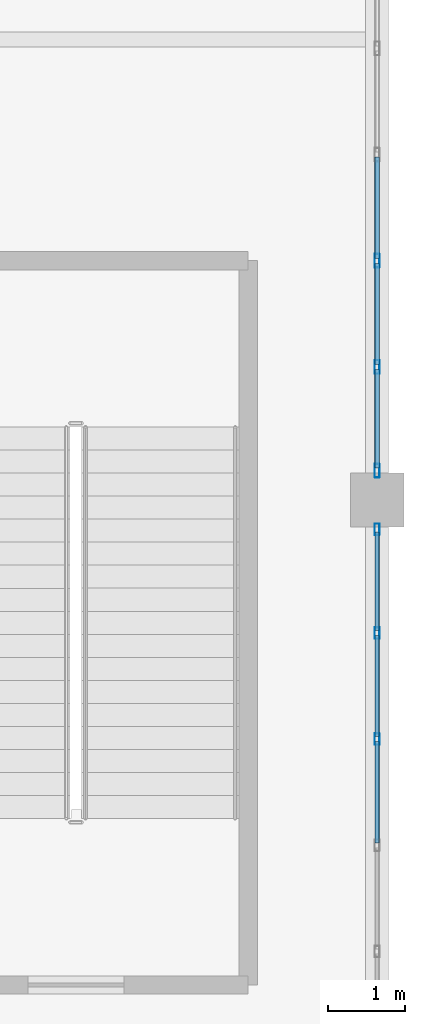
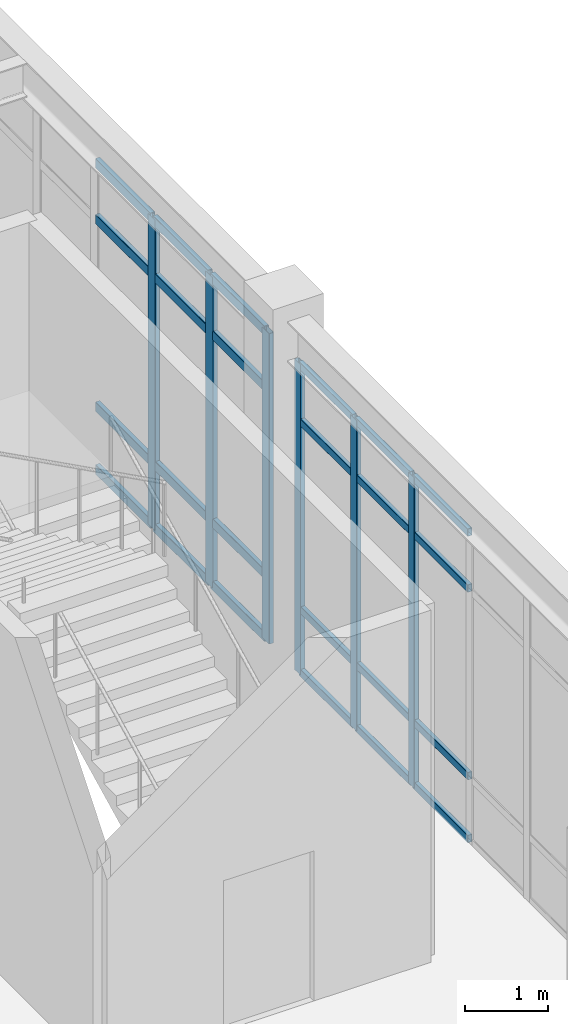
# One storey, part 28 of 80: 30 members, 2 elements without a shape of their own.
"""IFC4 building model written with IfcOpenShell, lengths in metres."""

from ifc_helpers import new_model, si_unit, direction, frame, origin, origin_2d, place, context, subcontext, project, spatial, hollow_rectangle, extrude, material, material_profile, profile_set, type_object, element, aggregate, save


model = new_model("IFC4")

# Units and contexts
model_context = context("Model", 3, precision=1e-05, world=origin(), true_north=direction((0.0, 1.0)))
body_context = subcontext(model_context, "Body", "Model", "MODEL_VIEW")
ifc_project = project(units=[si_unit("LENGTHUNIT", "METRE"), si_unit("AREAUNIT", "SQUARE_METRE"), si_unit("VOLUMEUNIT", "CUBIC_METRE"), si_unit("PLANEANGLEUNIT", "RADIAN"), si_unit("MASSUNIT", "GRAM", prefix="KILO")], contexts=[model_context])

# Site, building, storey
site_placement = place(None, origin())
site = spatial("IfcSite", under=ifc_project, at=site_placement, CompositionType="ELEMENT")
building_placement = place(site_placement, origin())
building = spatial("IfcBuilding", under=site, at=building_placement, Name="Canglan Escarpment Cableway Terminal", CompositionType="ELEMENT")
storey_placement = place(building_placement, frame((0.0, 0.0, 19.199951171875)))
storey = spatial("IfcBuildingStorey", under=building, at=storey_placement, Name="L04", CompositionType="ELEMENT", Elevation=19.199951171875)

# Curtain wall, members
ifc_material_1 = material(Name="Anodized bronze aluminium and Low-E double glazing", Category="aluminium")
curtain_wall_type = type_object("IfcCurtainWallType", Name="CW-BAY-8300x4550", PredefinedType="NOTDEFINED", material=ifc_material_1)
curtain_wall_1_placement = place(storey_placement, origin())
curtain_wall_1 = element("IfcCurtainWall", 1, at=curtain_wall_1_placement, inside=storey, type_object=curtain_wall_type, Name="Classical bay-between-piers glazed curtain wall CW-64", PredefinedType="NOTDEFINED")
ifc_material_2 = material(Name="Thermally broken anodized aluminium 6063-T6", Category="aluminium")
ifc_material_profile_1 = material_profile(ifc_material_2, hollow_rectangle(XDim=0.06494140625, YDim=0.14990234375, WallThickness=0.00341796875, InnerFilletRadius=0.00341796875, OuterFilletRadius=0.007080078125, at=origin_2d()), Name="ALU-MULL 65x150x3.5")
ifc_profile_set_1 = profile_set([ifc_material_profile_1], Name="Thermally broken anodized aluminium 6063-T6")
member_type_1 = type_object("IfcMemberType", Name="CWM-02", PredefinedType="MULLION", material=ifc_profile_set_1)
member_1_placement = place(storey_placement, frame((166.39990234375, 39.88330078125, 0.0), z_axis=(0.0, 0.0, 1.0), x_axis=(-1.0, 0.0, 0.0)))
member_1 = element("IfcMember", 2, at=member_1_placement, type_object=member_type_1, Name="CW-64 mullion 5", PredefinedType="MULLION", context=body_context, shape_type="SweptSolid", body=[
    extrude(hollow_rectangle(XDim=0.06494140625, YDim=0.14990234375, WallThickness=0.00341796875, InnerFilletRadius=0.00341796875, OuterFilletRadius=0.007080078125, at=origin_2d()), origin(), (0.0, 0.0, 1.0), 4.551025390625),
])
member_2_placement = place(storey_placement, frame((166.39990234375, 41.2666015625, 0.0), z_axis=(0.0, 0.0, 1.0), x_axis=(-1.0, 0.0, 0.0)))
member_2 = element("IfcMember", 3, at=member_2_placement, type_object=member_type_1, Name="CW-64 mullion 6", PredefinedType="MULLION", context=body_context, shape_type="SweptSolid", body=[
    extrude(hollow_rectangle(XDim=0.06494140625, YDim=0.14990234375, WallThickness=0.00341796875, InnerFilletRadius=0.00341796875, OuterFilletRadius=0.007080078125, at=origin_2d()), origin(), (0.0, 0.0, 1.0), 4.551025390625),
])
member_3_placement = place(storey_placement, frame((166.39990234375, 42.617431640625, 0.0), z_axis=(0.0, 0.0, 1.0), x_axis=(-1.0, 0.0, 0.0)))
member_3 = element("IfcMember", 4, at=member_3_placement, type_object=member_type_1, Name="CW-64 mullion 7", PredefinedType="MULLION", context=body_context, shape_type="SweptSolid", body=[
    extrude(hollow_rectangle(XDim=0.06494140625, YDim=0.14990234375, WallThickness=0.00341796875, InnerFilletRadius=0.00341796875, OuterFilletRadius=0.007080078125, at=origin_2d()), origin(), (0.0, 0.0, 1.0), 4.551025390625),
])

curtain_wall_2_placement = place(storey_placement, origin())
curtain_wall_2 = element("IfcCurtainWall", 5, at=curtain_wall_2_placement, inside=storey, type_object=curtain_wall_type, Name="Classical bay-between-piers glazed curtain wall CW-64", PredefinedType="NOTDEFINED")
ifc_material_profile_2 = material_profile(ifc_material_2, hollow_rectangle(XDim=0.06494140625, YDim=0.179931640625, WallThickness=0.00390625, InnerFilletRadius=0.00390625, OuterFilletRadius=0.008056640625, at=origin_2d()), Name="ALU-MULL 65x180x4")
ifc_profile_set_2 = profile_set([ifc_material_profile_2], Name="Thermally broken anodized aluminium 6063-T6")
member_type_2 = type_object("IfcMemberType", Name="CWM-03", PredefinedType="MULLION", material=ifc_profile_set_2)
member_4_placement = place(storey_placement, frame((166.39990234375, 43.382568359375, 0.0), z_axis=(0.0, 0.0, 1.0), x_axis=(-1.0, 0.0, 0.0)))
member_4 = element("IfcMember", 6, at=member_4_placement, type_object=member_type_2, Name="CW-64 mullion 1", PredefinedType="MULLION", context=body_context, shape_type="SweptSolid", body=[
    extrude(hollow_rectangle(XDim=0.06494140625, YDim=0.179931640625, WallThickness=0.00390625, InnerFilletRadius=0.00390625, OuterFilletRadius=0.008056640625, at=origin_2d()), origin(), (0.0, 0.0, 1.0), 4.551025390625),
])
member_5_placement = place(storey_placement, frame((166.39990234375, 44.7333984375, 0.0), z_axis=(0.0, 0.0, 1.0), x_axis=(-1.0, 0.0, 0.0)))
member_5 = element("IfcMember", 7, at=member_5_placement, type_object=member_type_2, Name="CW-64 mullion 2", PredefinedType="MULLION", context=body_context, shape_type="SweptSolid", body=[
    extrude(hollow_rectangle(XDim=0.06494140625, YDim=0.179931640625, WallThickness=0.00390625, InnerFilletRadius=0.00390625, OuterFilletRadius=0.008056640625, at=origin_2d()), origin(), (0.0, 0.0, 1.0), 4.551025390625),
])
member_6_placement = place(storey_placement, frame((166.39990234375, 46.11669921875, 0.0), z_axis=(0.0, 0.0, 1.0), x_axis=(-1.0, 0.0, 0.0)))
member_6 = element("IfcMember", 8, at=member_6_placement, type_object=member_type_2, Name="CW-64 mullion 3", PredefinedType="MULLION", context=body_context, shape_type="SweptSolid", body=[
    extrude(hollow_rectangle(XDim=0.06494140625, YDim=0.179931640625, WallThickness=0.00390625, InnerFilletRadius=0.00390625, OuterFilletRadius=0.008056640625, at=origin_2d()), origin(), (0.0, 0.0, 1.0), 4.551025390625),
])

# Member
ifc_material_profile_3 = material_profile(ifc_material_2, hollow_rectangle(XDim=0.06005859375, YDim=0.110107421875, WallThickness=0.0029296875, InnerFilletRadius=0.0029296875, OuterFilletRadius=0.006103515625, at=origin_2d()), Name="ALU-TRAN 60x110x3")
ifc_profile_set_3 = profile_set([ifc_material_profile_3], Name="Thermally broken anodized aluminium 6063-T6")
member_type_3 = type_object("IfcMemberType", Name="CWT-02", PredefinedType="USERDEFINED", material=ifc_profile_set_3)
member_7_placement = place(storey_placement, frame((166.39990234375, 38.532470703125, 0.030029296875), z_axis=(0.0, 1.0, 0.0), x_axis=(-1.0, 0.0, 0.0)))
member_7 = element("IfcMember", 9, at=member_7_placement, type_object=member_type_3, Name="CW-64 transom 4.1", ObjectType="TRANSOM", PredefinedType="USERDEFINED", context=body_context, shape_type="SweptSolid", body=[
    extrude(hollow_rectangle(XDim=0.06005859375, YDim=0.110107421875, WallThickness=0.0029296875, InnerFilletRadius=0.0029296875, OuterFilletRadius=0.006103515625, at=origin_2d()), origin(), (0.0, 0.0, 1.0), 1.318359375),
])

member_8_placement = place(storey_placement, frame((166.39990234375, 38.532470703125, 0.949951171875), z_axis=(0.0, 1.0, 0.0), x_axis=(-1.0, 0.0, 0.0)))
member_8 = element("IfcMember", 10, at=member_8_placement, type_object=member_type_3, Name="CW-64 transom 4.2", ObjectType="TRANSOM", PredefinedType="USERDEFINED", context=body_context, shape_type="SweptSolid", body=[
    extrude(hollow_rectangle(XDim=0.06005859375, YDim=0.110107421875, WallThickness=0.0029296875, InnerFilletRadius=0.0029296875, OuterFilletRadius=0.006103515625, at=origin_2d()), origin(), (0.0, 0.0, 1.0), 1.318359375),
])

member_9_placement = place(storey_placement, frame((166.39990234375, 38.532470703125, 3.700927734375), z_axis=(0.0, 1.0, 0.0), x_axis=(-1.0, 0.0, 0.0)))
member_9 = element("IfcMember", 11, at=member_9_placement, type_object=member_type_3, Name="CW-64 transom 4.3", ObjectType="TRANSOM", PredefinedType="USERDEFINED", context=body_context, shape_type="SweptSolid", body=[
    extrude(hollow_rectangle(XDim=0.06005859375, YDim=0.110107421875, WallThickness=0.0029296875, InnerFilletRadius=0.0029296875, OuterFilletRadius=0.006103515625, at=origin_2d()), origin(), (0.0, 0.0, 1.0), 1.318359375),
])

member_10_placement = place(storey_placement, frame((166.39990234375, 38.532470703125, 4.52099609375), z_axis=(0.0, 1.0, 0.0), x_axis=(-1.0, 0.0, 0.0)))
member_10 = element("IfcMember", 12, at=member_10_placement, type_object=member_type_3, Name="CW-64 transom 4.4", ObjectType="TRANSOM", PredefinedType="USERDEFINED", context=body_context, shape_type="SweptSolid", body=[
    extrude(hollow_rectangle(XDim=0.06005859375, YDim=0.110107421875, WallThickness=0.0029296875, InnerFilletRadius=0.0029296875, OuterFilletRadius=0.006103515625, at=origin_2d()), origin(), (0.0, 0.0, 1.0), 1.318359375),
])

member_11_placement = place(storey_placement, frame((166.39990234375, 39.915771484375, 0.030029296875), z_axis=(0.0, 1.0, 0.0), x_axis=(-1.0, 0.0, 0.0)))
member_11 = element("IfcMember", 13, at=member_11_placement, type_object=member_type_3, Name="CW-64 transom 5.1", ObjectType="TRANSOM", PredefinedType="USERDEFINED", context=body_context, shape_type="SweptSolid", body=[
    extrude(hollow_rectangle(XDim=0.06005859375, YDim=0.110107421875, WallThickness=0.0029296875, InnerFilletRadius=0.0029296875, OuterFilletRadius=0.006103515625, at=origin_2d()), origin(), (0.0, 0.0, 1.0), 1.318359375),
])

member_12_placement = place(storey_placement, frame((166.39990234375, 39.915771484375, 0.949951171875), z_axis=(0.0, 1.0, 0.0), x_axis=(-1.0, 0.0, 0.0)))
member_12 = element("IfcMember", 14, at=member_12_placement, type_object=member_type_3, Name="CW-64 transom 5.2", ObjectType="TRANSOM", PredefinedType="USERDEFINED", context=body_context, shape_type="SweptSolid", body=[
    extrude(hollow_rectangle(XDim=0.06005859375, YDim=0.110107421875, WallThickness=0.0029296875, InnerFilletRadius=0.0029296875, OuterFilletRadius=0.006103515625, at=origin_2d()), origin(), (0.0, 0.0, 1.0), 1.318359375),
])

member_13_placement = place(storey_placement, frame((166.39990234375, 39.915771484375, 3.700927734375), z_axis=(0.0, 1.0, 0.0), x_axis=(-1.0, 0.0, 0.0)))
member_13 = element("IfcMember", 15, at=member_13_placement, type_object=member_type_3, Name="CW-64 transom 5.3", ObjectType="TRANSOM", PredefinedType="USERDEFINED", context=body_context, shape_type="SweptSolid", body=[
    extrude(hollow_rectangle(XDim=0.06005859375, YDim=0.110107421875, WallThickness=0.0029296875, InnerFilletRadius=0.0029296875, OuterFilletRadius=0.006103515625, at=origin_2d()), origin(), (0.0, 0.0, 1.0), 1.318359375),
])

member_14_placement = place(storey_placement, frame((166.39990234375, 39.915771484375, 4.52099609375), z_axis=(0.0, 1.0, 0.0), x_axis=(-1.0, 0.0, 0.0)))
member_14 = element("IfcMember", 16, at=member_14_placement, type_object=member_type_3, Name="CW-64 transom 5.4", ObjectType="TRANSOM", PredefinedType="USERDEFINED", context=body_context, shape_type="SweptSolid", body=[
    extrude(hollow_rectangle(XDim=0.06005859375, YDim=0.110107421875, WallThickness=0.0029296875, InnerFilletRadius=0.0029296875, OuterFilletRadius=0.006103515625, at=origin_2d()), origin(), (0.0, 0.0, 1.0), 1.318359375),
])

member_15_placement = place(storey_placement, frame((166.39990234375, 41.299072265625, 0.030029296875), z_axis=(0.0, 1.0, 0.0), x_axis=(-1.0, 0.0, 0.0)))
member_15 = element("IfcMember", 17, at=member_15_placement, type_object=member_type_3, Name="CW-64 transom 6.1", ObjectType="TRANSOM", PredefinedType="USERDEFINED", context=body_context, shape_type="SweptSolid", body=[
    extrude(hollow_rectangle(XDim=0.06005859375, YDim=0.110107421875, WallThickness=0.0029296875, InnerFilletRadius=0.0029296875, OuterFilletRadius=0.006103515625, at=origin_2d()), origin(), (0.0, 0.0, 1.0), 1.285888671875),
])

member_16_placement = place(storey_placement, frame((166.39990234375, 41.299072265625, 0.949951171875), z_axis=(0.0, 1.0, 0.0), x_axis=(-1.0, 0.0, 0.0)))
member_16 = element("IfcMember", 18, at=member_16_placement, type_object=member_type_3, Name="CW-64 transom 6.2", ObjectType="TRANSOM", PredefinedType="USERDEFINED", context=body_context, shape_type="SweptSolid", body=[
    extrude(hollow_rectangle(XDim=0.06005859375, YDim=0.110107421875, WallThickness=0.0029296875, InnerFilletRadius=0.0029296875, OuterFilletRadius=0.006103515625, at=origin_2d()), origin(), (0.0, 0.0, 1.0), 1.285888671875),
])

member_17_placement = place(storey_placement, frame((166.39990234375, 41.299072265625, 3.700927734375), z_axis=(0.0, 1.0, 0.0), x_axis=(-1.0, 0.0, 0.0)))
member_17 = element("IfcMember", 19, at=member_17_placement, type_object=member_type_3, Name="CW-64 transom 6.3", ObjectType="TRANSOM", PredefinedType="USERDEFINED", context=body_context, shape_type="SweptSolid", body=[
    extrude(hollow_rectangle(XDim=0.06005859375, YDim=0.110107421875, WallThickness=0.0029296875, InnerFilletRadius=0.0029296875, OuterFilletRadius=0.006103515625, at=origin_2d()), origin(), (0.0, 0.0, 1.0), 1.285888671875),
])

member_18_placement = place(storey_placement, frame((166.39990234375, 41.299072265625, 4.52099609375), z_axis=(0.0, 1.0, 0.0), x_axis=(-1.0, 0.0, 0.0)))
member_18 = element("IfcMember", 20, at=member_18_placement, type_object=member_type_3, Name="CW-64 transom 6.4", ObjectType="TRANSOM", PredefinedType="USERDEFINED", context=body_context, shape_type="SweptSolid", body=[
    extrude(hollow_rectangle(XDim=0.06005859375, YDim=0.110107421875, WallThickness=0.0029296875, InnerFilletRadius=0.0029296875, OuterFilletRadius=0.006103515625, at=origin_2d()), origin(), (0.0, 0.0, 1.0), 1.285888671875),
])

aggregate(curtain_wall_1, [member_1, member_2, member_3, member_7, member_8, member_9, member_10, member_11, member_12, member_13, member_14, member_15, member_16, member_17, member_18])

ifc_material_profile_4 = material_profile(ifc_material_2, hollow_rectangle(XDim=0.06494140625, YDim=0.139892578125, WallThickness=0.00341796875, InnerFilletRadius=0.00341796875, OuterFilletRadius=0.007080078125, at=origin_2d()), Name="ALU-TRAN 65x140x3.5")
ifc_profile_set_4 = profile_set([ifc_material_profile_4], Name="Thermally broken anodized aluminium 6063-T6")
member_type_4 = type_object("IfcMemberType", Name="CWT-03", PredefinedType="USERDEFINED", material=ifc_profile_set_4)
member_19_placement = place(storey_placement, frame((166.39990234375, 43.4150390625, 0.032470703125), z_axis=(0.0, 1.0, 0.0), x_axis=(-1.0, 0.0, 0.0)))
member_19 = element("IfcMember", 21, at=member_19_placement, type_object=member_type_4, Name="CW-64 transom 1.1", ObjectType="TRANSOM", PredefinedType="USERDEFINED", context=body_context, shape_type="SweptSolid", body=[
    extrude(hollow_rectangle(XDim=0.06494140625, YDim=0.139892578125, WallThickness=0.00341796875, InnerFilletRadius=0.00341796875, OuterFilletRadius=0.007080078125, at=origin_2d()), origin(), (0.0, 0.0, 1.0), 1.285888671875),
])

member_20_placement = place(storey_placement, frame((166.39990234375, 43.4150390625, 0.949951171875), z_axis=(0.0, 1.0, 0.0), x_axis=(-1.0, 0.0, 0.0)))
member_20 = element("IfcMember", 22, at=member_20_placement, type_object=member_type_4, Name="CW-64 transom 1.2", ObjectType="TRANSOM", PredefinedType="USERDEFINED", context=body_context, shape_type="SweptSolid", body=[
    extrude(hollow_rectangle(XDim=0.06494140625, YDim=0.139892578125, WallThickness=0.00341796875, InnerFilletRadius=0.00341796875, OuterFilletRadius=0.007080078125, at=origin_2d()), origin(), (0.0, 0.0, 1.0), 1.285888671875),
])

member_21_placement = place(storey_placement, frame((166.39990234375, 43.4150390625, 3.700927734375), z_axis=(0.0, 1.0, 0.0), x_axis=(-1.0, 0.0, 0.0)))
member_21 = element("IfcMember", 23, at=member_21_placement, type_object=member_type_4, Name="CW-64 transom 1.3", ObjectType="TRANSOM", PredefinedType="USERDEFINED", context=body_context, shape_type="SweptSolid", body=[
    extrude(hollow_rectangle(XDim=0.06494140625, YDim=0.139892578125, WallThickness=0.00341796875, InnerFilletRadius=0.00341796875, OuterFilletRadius=0.007080078125, at=origin_2d()), origin(), (0.0, 0.0, 1.0), 1.285888671875),
])

member_22_placement = place(storey_placement, frame((166.39990234375, 43.4150390625, 4.5185546875), z_axis=(0.0, 1.0, 0.0), x_axis=(-1.0, 0.0, 0.0)))
member_22 = element("IfcMember", 24, at=member_22_placement, type_object=member_type_4, Name="CW-64 transom 1.4", ObjectType="TRANSOM", PredefinedType="USERDEFINED", context=body_context, shape_type="SweptSolid", body=[
    extrude(hollow_rectangle(XDim=0.06494140625, YDim=0.139892578125, WallThickness=0.00341796875, InnerFilletRadius=0.00341796875, OuterFilletRadius=0.007080078125, at=origin_2d()), origin(), (0.0, 0.0, 1.0), 1.285888671875),
])

member_23_placement = place(storey_placement, frame((166.39990234375, 44.765869140625, 0.032470703125), z_axis=(0.0, 1.0, 0.0), x_axis=(-1.0, 0.0, 0.0)))
member_23 = element("IfcMember", 25, at=member_23_placement, type_object=member_type_4, Name="CW-64 transom 2.1", ObjectType="TRANSOM", PredefinedType="USERDEFINED", context=body_context, shape_type="SweptSolid", body=[
    extrude(hollow_rectangle(XDim=0.06494140625, YDim=0.139892578125, WallThickness=0.00341796875, InnerFilletRadius=0.00341796875, OuterFilletRadius=0.007080078125, at=origin_2d()), origin(), (0.0, 0.0, 1.0), 1.318359375),
])

member_24_placement = place(storey_placement, frame((166.39990234375, 44.765869140625, 0.949951171875), z_axis=(0.0, 1.0, 0.0), x_axis=(-1.0, 0.0, 0.0)))
member_24 = element("IfcMember", 26, at=member_24_placement, type_object=member_type_4, Name="CW-64 transom 2.2", ObjectType="TRANSOM", PredefinedType="USERDEFINED", context=body_context, shape_type="SweptSolid", body=[
    extrude(hollow_rectangle(XDim=0.06494140625, YDim=0.139892578125, WallThickness=0.00341796875, InnerFilletRadius=0.00341796875, OuterFilletRadius=0.007080078125, at=origin_2d()), origin(), (0.0, 0.0, 1.0), 1.318359375),
])

member_25_placement = place(storey_placement, frame((166.39990234375, 44.765869140625, 3.700927734375), z_axis=(0.0, 1.0, 0.0), x_axis=(-1.0, 0.0, 0.0)))
member_25 = element("IfcMember", 27, at=member_25_placement, type_object=member_type_4, Name="CW-64 transom 2.3", ObjectType="TRANSOM", PredefinedType="USERDEFINED", context=body_context, shape_type="SweptSolid", body=[
    extrude(hollow_rectangle(XDim=0.06494140625, YDim=0.139892578125, WallThickness=0.00341796875, InnerFilletRadius=0.00341796875, OuterFilletRadius=0.007080078125, at=origin_2d()), origin(), (0.0, 0.0, 1.0), 1.318359375),
])

member_26_placement = place(storey_placement, frame((166.39990234375, 44.765869140625, 4.5185546875), z_axis=(0.0, 1.0, 0.0), x_axis=(-1.0, 0.0, 0.0)))
member_26 = element("IfcMember", 28, at=member_26_placement, type_object=member_type_4, Name="CW-64 transom 2.4", ObjectType="TRANSOM", PredefinedType="USERDEFINED", context=body_context, shape_type="SweptSolid", body=[
    extrude(hollow_rectangle(XDim=0.06494140625, YDim=0.139892578125, WallThickness=0.00341796875, InnerFilletRadius=0.00341796875, OuterFilletRadius=0.007080078125, at=origin_2d()), origin(), (0.0, 0.0, 1.0), 1.318359375),
])

member_27_placement = place(storey_placement, frame((166.39990234375, 46.149169921875, 0.032470703125), z_axis=(0.0, 1.0, 0.0), x_axis=(-1.0, 0.0, 0.0)))
member_27 = element("IfcMember", 29, at=member_27_placement, type_object=member_type_4, Name="CW-64 transom 3.1", ObjectType="TRANSOM", PredefinedType="USERDEFINED", context=body_context, shape_type="SweptSolid", body=[
    extrude(hollow_rectangle(XDim=0.06494140625, YDim=0.139892578125, WallThickness=0.00341796875, InnerFilletRadius=0.00341796875, OuterFilletRadius=0.007080078125, at=origin_2d()), origin(), (0.0, 0.0, 1.0), 1.318359375),
])

member_28_placement = place(storey_placement, frame((166.39990234375, 46.149169921875, 0.949951171875), z_axis=(0.0, 1.0, 0.0), x_axis=(-1.0, 0.0, 0.0)))
member_28 = element("IfcMember", 30, at=member_28_placement, type_object=member_type_4, Name="CW-64 transom 3.2", ObjectType="TRANSOM", PredefinedType="USERDEFINED", context=body_context, shape_type="SweptSolid", body=[
    extrude(hollow_rectangle(XDim=0.06494140625, YDim=0.139892578125, WallThickness=0.00341796875, InnerFilletRadius=0.00341796875, OuterFilletRadius=0.007080078125, at=origin_2d()), origin(), (0.0, 0.0, 1.0), 1.318359375),
])

member_29_placement = place(storey_placement, frame((166.39990234375, 46.149169921875, 3.700927734375), z_axis=(0.0, 1.0, 0.0), x_axis=(-1.0, 0.0, 0.0)))
member_29 = element("IfcMember", 31, at=member_29_placement, type_object=member_type_4, Name="CW-64 transom 3.3", ObjectType="TRANSOM", PredefinedType="USERDEFINED", context=body_context, shape_type="SweptSolid", body=[
    extrude(hollow_rectangle(XDim=0.06494140625, YDim=0.139892578125, WallThickness=0.00341796875, InnerFilletRadius=0.00341796875, OuterFilletRadius=0.007080078125, at=origin_2d()), origin(), (0.0, 0.0, 1.0), 1.318359375),
])

member_30_placement = place(storey_placement, frame((166.39990234375, 46.149169921875, 4.5185546875), z_axis=(0.0, 1.0, 0.0), x_axis=(-1.0, 0.0, 0.0)))
member_30 = element("IfcMember", 32, at=member_30_placement, type_object=member_type_4, Name="CW-64 transom 3.4", ObjectType="TRANSOM", PredefinedType="USERDEFINED", context=body_context, shape_type="SweptSolid", body=[
    extrude(hollow_rectangle(XDim=0.06494140625, YDim=0.139892578125, WallThickness=0.00341796875, InnerFilletRadius=0.00341796875, OuterFilletRadius=0.007080078125, at=origin_2d()), origin(), (0.0, 0.0, 1.0), 1.318359375),
])

aggregate(curtain_wall_2, [member_4, member_5, member_6, member_19, member_20, member_21, member_22, member_23, member_24, member_25, member_26, member_27, member_28, member_29, member_30])

save(model, "model.ifc")
